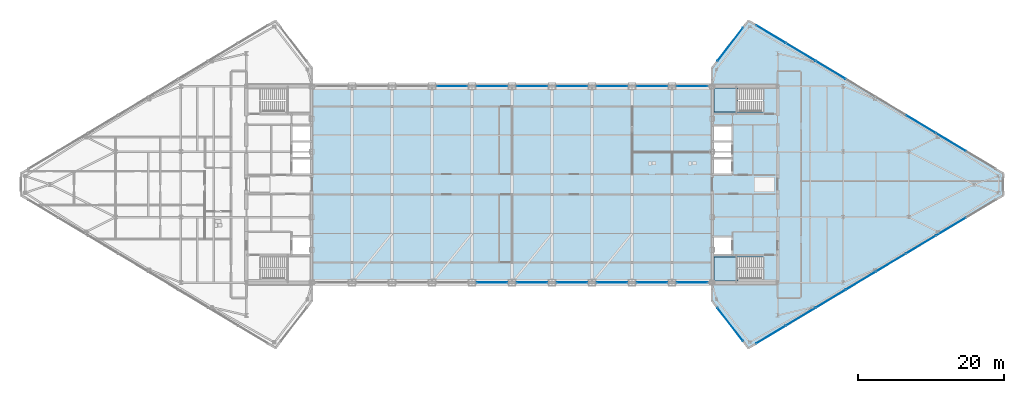
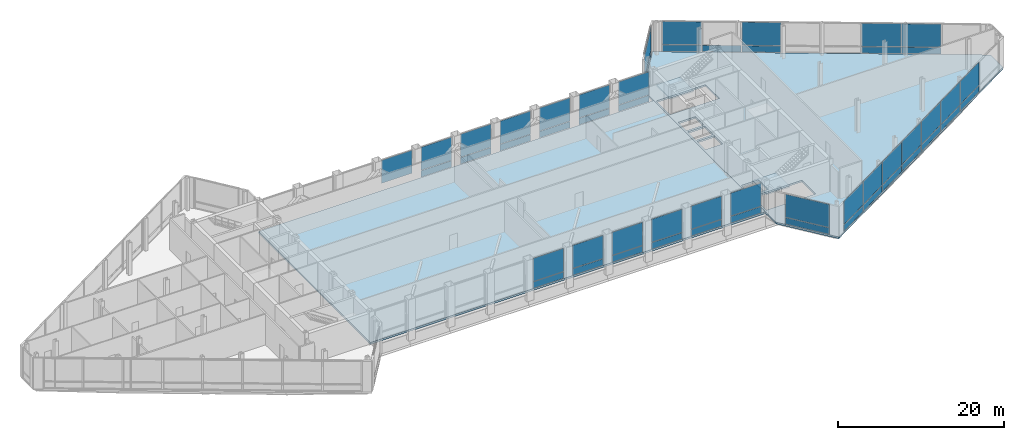
# One storey, part 20 of 29: 52 plates, 4 slabs, 19 elements without a shape of their own.
"""IFC4 building model written with IfcOpenShell, lengths in metres."""

from ifc_helpers import new_model, si_unit, direction, frame, origin, origin_2d, place, context, subcontext, project, spatial, polyline, rectangle, outline, extrude, source, transform, mapped, material, layer, layer_set, type_object, type_shapes, element, aggregate, save


model = new_model("IFC4")

# Units and contexts
model_context = context("Model", 3, precision=1e-05, world=origin(), true_north=direction((0.0, 1.0)))
body_context = subcontext(model_context, "Body", "Model", "MODEL_VIEW")
ifc_project = project(units=[si_unit("LENGTHUNIT", "METRE"), si_unit("AREAUNIT", "SQUARE_METRE"), si_unit("VOLUMEUNIT", "CUBIC_METRE"), si_unit("PLANEANGLEUNIT", "RADIAN"), si_unit("MASSUNIT", "GRAM", prefix="KILO")], contexts=[model_context])

# Site, building, storey
site_placement = place(None, origin())
site = spatial("IfcSite", under=ifc_project, at=site_placement, CompositionType="ELEMENT")
building_placement = place(site_placement, origin())
building = spatial("IfcBuilding", under=site, at=building_placement, Name="Seokmaru Belvedere", CompositionType="ELEMENT")
storey_placement = place(building_placement, frame((0.0, 0.0, 229.800048828125)))
storey = spatial("IfcBuildingStorey", under=building, at=storey_placement, Name="L61", CompositionType="ELEMENT", Elevation=229.800048828125)

# Slabs
ifc_material_1 = material(Name="Concrete C50 (50 MPa)", Category="concrete")
ifc_layer_1 = layer(ifc_material_1, 0.260009765625)
ifc_layer_set_1 = layer_set([ifc_layer_1], Name="Concrete C50 (50 MPa)")
slab_type_1 = type_object("IfcSlabType", Name="Refuge and Sky-Gate Heavy Floor Slab 260", PredefinedType="FLOOR", material=ifc_layer_set_1)
slab_1_placement = place(storey_placement, frame((0.0, 0.0, -0.260009765625)))
element("IfcSlab", 1, at=slab_1_placement, inside=storey, type_object=slab_type_1, Name="L61 East Leg Floor Slab", PredefinedType="FLOOR", context=body_context, shape_type="SweptSolid", body=[
    extrude(outline(polyline([(32.5, -22.5), (67.5, -1.5), (67.5, 1.5), (32.5, 22.5), (27.5, 16.0), (27.5, -16.0), (32.5, -22.5)]), holes=[polyline([(27.75, -13.25), (34.60009765625, -13.25), (34.60009765625, -9.949951171875), (27.75, -9.949951171875), (27.75, -13.25)]), polyline([(27.75, 9.949951171875), (34.60009765625, 9.949951171875), (34.60009765625, 13.25), (27.75, 13.25), (27.75, 9.949951171875)]), polyline([(27.75, -9.550048828125), (30.14990234375, -9.550048828125), (30.14990234375, -7.25), (27.75, -7.25), (27.75, -9.550048828125)]), polyline([(27.75, 1.449951171875), (30.14990234375, 1.449951171875), (30.14990234375, 3.449951171875), (27.75, 3.449951171875), (27.75, 1.449951171875)]), polyline([(27.75, 3.75), (30.14990234375, 3.75), (30.14990234375, 5.75), (27.75, 5.75), (27.75, 3.75)]), polyline([(27.75, 6.050048828125), (30.14990234375, 6.050048828125), (30.14990234375, 8.050048828125), (27.75, 8.050048828125), (27.75, 6.050048828125)])]), origin(), (0.0, 0.0, 1.0), 0.260009765625),
])
slab_2_placement = place(storey_placement, frame((0.0, 0.0, -0.260009765625)))
element("IfcSlab", 2, at=slab_2_placement, inside=storey, type_object=slab_type_1, Name="L61 Sky-Gate Bridge Floor Slab", PredefinedType="FLOOR", context=body_context, shape_type="SweptSolid", body=[
    extrude(outline(polyline([(-27.5, -13.5), (27.5, -13.5), (27.5, 13.5), (-27.5, 13.5), (-27.5, -13.5)])), origin(), (0.0, 0.0, 1.0), 0.260009765625),
])

# Stair, slab
ifc_material_2 = material(Name="Concrete C40 (40 MPa)", Category="concrete")
stair_type = type_object("IfcStairType", Name="Basement Core Dog-Leg Stair 4800", PredefinedType="TWO_STRAIGHT_RUN_STAIR", material=ifc_material_2)
stair_1_placement = place(storey_placement, origin())
stair_1 = element("IfcStair", 3, at=stair_1_placement, inside=storey, type_object=stair_type, Name="L61 Special Escape Stair ST-E1", PredefinedType="TWO_STRAIGHT_RUN_STAIR")
ifc_layer_2 = layer(ifc_material_2, 0.199951171875)
ifc_layer_set_2 = layer_set([ifc_layer_2], Name="Concrete C40 (40 MPa)")
slab_type_2 = type_object("IfcSlabType", Name="Reinforced Concrete Stair Landing Slab 200", PredefinedType="LANDING", material=ifc_layer_set_2)
slab_3_placement = place(storey_placement, frame((0.0, 0.0, 2.199951171875)))
slab_3 = element("IfcSlab", 4, at=slab_3_placement, type_object=slab_type_2, Name="ST-E1 landing 1", PredefinedType="LANDING", context=body_context, shape_type="SweptSolid", body=[
    extrude(outline(polyline([(27.760009765625, -13.239990234375), (31.0400390625, -13.239990234375), (31.0400390625, -9.949951171875), (27.760009765625, -9.949951171875), (27.760009765625, -13.239990234375)])), origin(), (0.0, 0.0, 1.0), 0.199951171875),
])
aggregate(stair_1, [slab_3])

stair_2_placement = place(storey_placement, origin())
stair_2 = element("IfcStair", 5, at=stair_2_placement, inside=storey, type_object=stair_type, Name="L61 Special Escape Stair ST-E2", PredefinedType="TWO_STRAIGHT_RUN_STAIR")
slab_4_placement = place(storey_placement, frame((0.0, 0.0, 2.199951171875)))
slab_4 = element("IfcSlab", 6, at=slab_4_placement, type_object=slab_type_2, Name="ST-E2 landing 1", PredefinedType="LANDING", context=body_context, shape_type="SweptSolid", body=[
    extrude(outline(polyline([(27.760009765625, 9.949951171875), (31.0400390625, 9.949951171875), (31.0400390625, 13.239990234375), (27.760009765625, 13.239990234375), (27.760009765625, 9.949951171875)])), origin(), (0.0, 0.0, 1.0), 0.199951171875),
])
aggregate(stair_2, [slab_4])

# Curtain wall, plate
ifc_material_3 = material(Name="Bronze Triple Insulating Glass", Category="glass")
ifc_layer_3 = layer(ifc_material_3, 0.219970703125)
ifc_layer_set_3 = layer_set([ifc_layer_3], Name="Bronze Triple Insulating Glass")
curtain_wall_type = type_object("IfcCurtainWallType", Name="Sky-Gate Bridge Panorama Curtain Wall System CW-6", PredefinedType="NOTDEFINED", material=ifc_layer_set_3)
curtain_wall_1_placement = place(storey_placement, origin())
curtain_wall_1 = element("IfcCurtainWall", 7, at=curtain_wall_1_placement, inside=storey, type_object=curtain_wall_type, Name="L61 Curtain Wall EF4", PredefinedType="NOTDEFINED")
ifc_layer_4 = layer(ifc_material_3, 0.048095703125)
ifc_layer_set_4 = layer_set([ifc_layer_4], Name="Bronze Triple Insulating Glass")
plate_type_1 = type_object("IfcPlateType", Name="Insulated Bronze Spandrel Glazing Panel 48", PredefinedType="CURTAIN_PANEL", material=ifc_layer_set_4)
shared_shape_1 = source(origin(), body_context, "Body", "SweptSolid", [
    extrude(rectangle(XDim=5.740478515625, YDim=0.0419921875, at=origin_2d()), origin(), (0.0, 0.0, 1.0), 0.9375),
])
plate_1_placement = place(storey_placement, frame((30.0, 19.25, 0.074951171875), z_axis=(0.0, 0.0, 1.0), x_axis=(-0.609701187349, -0.792631353244, 0.0)))
plate_1 = element("IfcPlate", 8, at=plate_1_placement, type_object=plate_type_1, Name="CW:L61:EF4 Glazing Panel 1-1", PredefinedType="CURTAIN_PANEL", context=body_context, shape_type="MappedRepresentation", body=[
    mapped(shared_shape_1, transform((0.0, 0.0, 0.0), scale=1.0)),
])

curtain_wall_2_placement = place(storey_placement, origin())
curtain_wall_2 = element("IfcCurtainWall", 9, at=curtain_wall_2_placement, inside=storey, type_object=curtain_wall_type, Name="L61 Curtain Wall EF6", PredefinedType="NOTDEFINED")
plate_2_placement = place(storey_placement, frame((30.0, -19.25, 0.074951171875), z_axis=(0.0, 0.0, 1.0), x_axis=(0.609701187349, -0.792631353244, 0.0)))
plate_2 = element("IfcPlate", 10, at=plate_2_placement, type_object=plate_type_1, Name="CW:L61:EF6 Glazing Panel 1-1", PredefinedType="CURTAIN_PANEL", context=body_context, shape_type="MappedRepresentation", body=[
    mapped(shared_shape_1, transform((0.0, 0.0, 0.0), scale=1.0)),
])

# Plate
ifc_layer_5 = layer(ifc_material_3, 0.0419921875)
ifc_layer_set_5 = layer_set([ifc_layer_5], Name="Bronze Triple Insulating Glass")
plate_type_2 = type_object("IfcPlateType", Name="Acoustic Laminated Panorama Glazing Panel 42", PredefinedType="CURTAIN_PANEL", material=ifc_layer_set_5)
shared_shape_2 = source(origin(), body_context, "Body", "SweptSolid", [
    extrude(rectangle(XDim=5.740478515625, YDim=0.0419921875, at=origin_2d()), origin(), (0.0, 0.0, 1.0), 3.37744140625),
])
plate_3_placement = place(storey_placement, frame((30.0, 19.25, 1.08740234375), z_axis=(0.0, 0.0, 1.0), x_axis=(-0.609701187349, -0.792631353244, 0.0)))
plate_3 = element("IfcPlate", 11, at=plate_3_placement, type_object=plate_type_2, Name="CW:L61:EF4 Glazing Panel 1-2", PredefinedType="CURTAIN_PANEL", context=body_context, shape_type="MappedRepresentation", body=[
    mapped(shared_shape_2, transform((0.0, 0.0, 0.0), scale=1.0)),
])

aggregate(curtain_wall_1, [plate_1, plate_3])

plate_4_placement = place(storey_placement, frame((30.0, -19.25, 1.08740234375), z_axis=(0.0, 0.0, 1.0), x_axis=(0.609701187349, -0.792631353244, 0.0)))
plate_4 = element("IfcPlate", 12, at=plate_4_placement, type_object=plate_type_2, Name="CW:L61:EF6 Glazing Panel 1-2", PredefinedType="CURTAIN_PANEL", context=body_context, shape_type="MappedRepresentation", body=[
    mapped(shared_shape_2, transform((0.0, 0.0, 0.0), scale=1.0)),
])

aggregate(curtain_wall_2, [plate_2, plate_4])

# Curtain wall, plate
curtain_wall_3_placement = place(storey_placement, origin())
curtain_wall_3 = element("IfcCurtainWall", 13, at=curtain_wall_3_placement, inside=storey, type_object=curtain_wall_type, Name="L61 Curtain Wall EF1", PredefinedType="NOTDEFINED")
shared_shape_3 = source(origin(), body_context, "Body", "SweptSolid", [
    extrude(rectangle(XDim=4.694580078125, YDim=0.0419921875, at=origin_2d()), origin(), (0.0, 0.0, 1.0), 0.9375),
])
plate_5_placement = place(storey_placement, frame((35.5673828125, -20.659423828125, 0.074951171875), z_axis=(0.0, 0.0, 1.0), x_axis=(0.85749343335, 0.514494909364, 0.0)))
plate_5 = element("IfcPlate", 14, at=plate_5_placement, type_object=plate_type_1, Name="CW:L61:EF1 Glazing Panel 1-1", PredefinedType="CURTAIN_PANEL", context=body_context, shape_type="MappedRepresentation", body=[
    mapped(shared_shape_3, transform((0.0, 0.0, 0.0), scale=1.0)),
])

curtain_wall_4_placement = place(storey_placement, origin())
curtain_wall_4 = element("IfcCurtainWall", 15, at=curtain_wall_4_placement, inside=storey, type_object=curtain_wall_type, Name="L61 Curtain Wall EF3", PredefinedType="NOTDEFINED")
plate_6_placement = place(storey_placement, frame((35.5673828125, 20.659423828125, 0.074951171875), z_axis=(0.0, 0.0, 1.0), x_axis=(-0.85749343335, 0.514494909364, 0.0)))
plate_6 = element("IfcPlate", 16, at=plate_6_placement, type_object=plate_type_1, Name="CW:L61:EF3 Glazing Panel 8-1", PredefinedType="CURTAIN_PANEL", context=body_context, shape_type="MappedRepresentation", body=[
    mapped(shared_shape_3, transform((0.0, 0.0, 0.0), scale=1.0)),
])

# Plate
shared_shape_4 = source(origin(), body_context, "Body", "SweptSolid", [
    extrude(rectangle(XDim=4.694580078125, YDim=0.0419921875, at=origin_2d()), origin(), (0.0, 0.0, 1.0), 3.37744140625),
])
plate_7_placement = place(storey_placement, frame((35.5673828125, -20.659423828125, 1.08740234375), z_axis=(0.0, 0.0, 1.0), x_axis=(0.85749343335, 0.514494909364, 0.0)))
plate_7 = element("IfcPlate", 17, at=plate_7_placement, type_object=plate_type_2, Name="CW:L61:EF1 Glazing Panel 1-2", PredefinedType="CURTAIN_PANEL", context=body_context, shape_type="MappedRepresentation", body=[
    mapped(shared_shape_4, transform((0.0, 0.0, 0.0), scale=1.0)),
])

plate_8_placement = place(storey_placement, frame((35.5673828125, 20.659423828125, 1.08740234375), z_axis=(0.0, 0.0, 1.0), x_axis=(-0.85749343335, 0.514494909364, 0.0)))
plate_8 = element("IfcPlate", 18, at=plate_8_placement, type_object=plate_type_2, Name="CW:L61:EF3 Glazing Panel 8-2", PredefinedType="CURTAIN_PANEL", context=body_context, shape_type="MappedRepresentation", body=[
    mapped(shared_shape_4, transform((0.0, 0.0, 0.0), scale=1.0)),
])

shared_shape_5 = source(origin(), body_context, "Body", "SweptSolid", [
    extrude(rectangle(XDim=4.734619140625, YDim=0.0419921875, at=origin_2d()), origin(), (0.0, 0.0, 1.0), 0.9375),
])
plate_9_placement = place(storey_placement, frame((39.6787109375, -18.192626953125, 0.074951171875), z_axis=(0.0, 0.0, 1.0), x_axis=(0.85749343335, 0.514494909364, 0.0)))
plate_9 = element("IfcPlate", 19, at=plate_9_placement, type_object=plate_type_1, Name="CW:L61:EF1 Glazing Panel 2-1", PredefinedType="CURTAIN_PANEL", context=body_context, shape_type="MappedRepresentation", body=[
    mapped(shared_shape_5, transform((0.0, 0.0, 0.0), scale=1.0)),
])

plate_10_placement = place(storey_placement, frame((43.807373046875, -15.715576171875, 0.074951171875), z_axis=(0.0, 0.0, 1.0), x_axis=(0.85749343335, 0.514494909364, 0.0)))
plate_10 = element("IfcPlate", 20, at=plate_10_placement, type_object=plate_type_1, Name="CW:L61:EF1 Glazing Panel 3-1", PredefinedType="CURTAIN_PANEL", context=body_context, shape_type="MappedRepresentation", body=[
    mapped(shared_shape_5, transform((0.0, 0.0, 0.0), scale=1.0)),
])

plate_11_placement = place(storey_placement, frame((47.935791015625, -13.238525390625, 0.074951171875), z_axis=(0.0, 0.0, 1.0), x_axis=(0.85749343335, 0.514494909364, 0.0)))
plate_11 = element("IfcPlate", 21, at=plate_11_placement, type_object=plate_type_1, Name="CW:L61:EF1 Glazing Panel 4-1", PredefinedType="CURTAIN_PANEL", context=body_context, shape_type="MappedRepresentation", body=[
    mapped(shared_shape_5, transform((0.0, 0.0, 0.0), scale=1.0)),
])

plate_12_placement = place(storey_placement, frame((52.064208984375, -10.761474609375, 0.074951171875), z_axis=(0.0, 0.0, 1.0), x_axis=(0.85749343335, 0.514494909364, 0.0)))
plate_12 = element("IfcPlate", 22, at=plate_12_placement, type_object=plate_type_1, Name="CW:L61:EF1 Glazing Panel 5-1", PredefinedType="CURTAIN_PANEL", context=body_context, shape_type="MappedRepresentation", body=[
    mapped(shared_shape_5, transform((0.0, 0.0, 0.0), scale=1.0)),
])

plate_13_placement = place(storey_placement, frame((56.192626953125, -8.284423828125, 0.074951171875), z_axis=(0.0, 0.0, 1.0), x_axis=(0.85749343335, 0.514494909364, 0.0)))
plate_13 = element("IfcPlate", 23, at=plate_13_placement, type_object=plate_type_1, Name="CW:L61:EF1 Glazing Panel 6-1", PredefinedType="CURTAIN_PANEL", context=body_context, shape_type="MappedRepresentation", body=[
    mapped(shared_shape_5, transform((0.0, 0.0, 0.0), scale=1.0)),
])

plate_14_placement = place(storey_placement, frame((60.3212890625, -5.807373046875, 0.074951171875), z_axis=(0.0, 0.0, 1.0), x_axis=(0.85749343335, 0.514494909364, 0.0)))
plate_14 = element("IfcPlate", 24, at=plate_14_placement, type_object=plate_type_1, Name="CW:L61:EF1 Glazing Panel 7-1", PredefinedType="CURTAIN_PANEL", context=body_context, shape_type="MappedRepresentation", body=[
    mapped(shared_shape_5, transform((0.0, 0.0, 0.0), scale=1.0)),
])

plate_15_placement = place(storey_placement, frame((60.3212890625, 5.807373046875, 0.074951171875), z_axis=(0.0, 0.0, 1.0), x_axis=(-0.85749343335, 0.514494909364, 0.0)))
plate_15 = element("IfcPlate", 25, at=plate_15_placement, type_object=plate_type_1, Name="CW:L61:EF3 Glazing Panel 2-1", PredefinedType="CURTAIN_PANEL", context=body_context, shape_type="MappedRepresentation", body=[
    mapped(shared_shape_5, transform((0.0, 0.0, 0.0), scale=1.0)),
])

plate_16_placement = place(storey_placement, frame((56.192626953125, 8.284423828125, 0.074951171875), z_axis=(0.0, 0.0, 1.0), x_axis=(-0.85749343335, 0.514494909364, 0.0)))
plate_16 = element("IfcPlate", 26, at=plate_16_placement, type_object=plate_type_1, Name="CW:L61:EF3 Glazing Panel 3-1", PredefinedType="CURTAIN_PANEL", context=body_context, shape_type="MappedRepresentation", body=[
    mapped(shared_shape_5, transform((0.0, 0.0, 0.0), scale=1.0)),
])

plate_17_placement = place(storey_placement, frame((43.807373046875, 15.715576171875, 0.074951171875), z_axis=(0.0, 0.0, 1.0), x_axis=(-0.85749343335, 0.514494909364, 0.0)))
plate_17 = element("IfcPlate", 27, at=plate_17_placement, type_object=plate_type_1, Name="CW:L61:EF3 Glazing Panel 6-1", PredefinedType="CURTAIN_PANEL", context=body_context, shape_type="MappedRepresentation", body=[
    mapped(shared_shape_5, transform((0.0, 0.0, 0.0), scale=1.0)),
])

plate_18_placement = place(storey_placement, frame((39.6787109375, 18.192626953125, 0.074951171875), z_axis=(0.0, 0.0, 1.0), x_axis=(-0.85749343335, 0.514494909364, 0.0)))
plate_18 = element("IfcPlate", 28, at=plate_18_placement, type_object=plate_type_1, Name="CW:L61:EF3 Glazing Panel 7-1", PredefinedType="CURTAIN_PANEL", context=body_context, shape_type="MappedRepresentation", body=[
    mapped(shared_shape_5, transform((0.0, 0.0, 0.0), scale=1.0)),
])

shared_shape_6 = source(origin(), body_context, "Body", "SweptSolid", [
    extrude(rectangle(XDim=4.734619140625, YDim=0.0419921875, at=origin_2d()), origin(), (0.0, 0.0, 1.0), 3.37744140625),
])
plate_19_placement = place(storey_placement, frame((39.6787109375, -18.192626953125, 1.08740234375), z_axis=(0.0, 0.0, 1.0), x_axis=(0.85749343335, 0.514494909364, 0.0)))
plate_19 = element("IfcPlate", 29, at=plate_19_placement, type_object=plate_type_2, Name="CW:L61:EF1 Glazing Panel 2-2", PredefinedType="CURTAIN_PANEL", context=body_context, shape_type="MappedRepresentation", body=[
    mapped(shared_shape_6, transform((0.0, 0.0, 0.0), scale=1.0)),
])

plate_20_placement = place(storey_placement, frame((43.807373046875, -15.715576171875, 1.08740234375), z_axis=(0.0, 0.0, 1.0), x_axis=(0.85749343335, 0.514494909364, 0.0)))
plate_20 = element("IfcPlate", 30, at=plate_20_placement, type_object=plate_type_2, Name="CW:L61:EF1 Glazing Panel 3-2", PredefinedType="CURTAIN_PANEL", context=body_context, shape_type="MappedRepresentation", body=[
    mapped(shared_shape_6, transform((0.0, 0.0, 0.0), scale=1.0)),
])

plate_21_placement = place(storey_placement, frame((47.935791015625, -13.238525390625, 1.08740234375), z_axis=(0.0, 0.0, 1.0), x_axis=(0.85749343335, 0.514494909364, 0.0)))
plate_21 = element("IfcPlate", 31, at=plate_21_placement, type_object=plate_type_2, Name="CW:L61:EF1 Glazing Panel 4-2", PredefinedType="CURTAIN_PANEL", context=body_context, shape_type="MappedRepresentation", body=[
    mapped(shared_shape_6, transform((0.0, 0.0, 0.0), scale=1.0)),
])

plate_22_placement = place(storey_placement, frame((52.064208984375, -10.761474609375, 1.08740234375), z_axis=(0.0, 0.0, 1.0), x_axis=(0.85749343335, 0.514494909364, 0.0)))
plate_22 = element("IfcPlate", 32, at=plate_22_placement, type_object=plate_type_2, Name="CW:L61:EF1 Glazing Panel 5-2", PredefinedType="CURTAIN_PANEL", context=body_context, shape_type="MappedRepresentation", body=[
    mapped(shared_shape_6, transform((0.0, 0.0, 0.0), scale=1.0)),
])

plate_23_placement = place(storey_placement, frame((56.192626953125, -8.284423828125, 1.08740234375), z_axis=(0.0, 0.0, 1.0), x_axis=(0.85749343335, 0.514494909364, 0.0)))
plate_23 = element("IfcPlate", 33, at=plate_23_placement, type_object=plate_type_2, Name="CW:L61:EF1 Glazing Panel 6-2", PredefinedType="CURTAIN_PANEL", context=body_context, shape_type="MappedRepresentation", body=[
    mapped(shared_shape_6, transform((0.0, 0.0, 0.0), scale=1.0)),
])

plate_24_placement = place(storey_placement, frame((60.3212890625, -5.807373046875, 1.08740234375), z_axis=(0.0, 0.0, 1.0), x_axis=(0.85749343335, 0.514494909364, 0.0)))
plate_24 = element("IfcPlate", 34, at=plate_24_placement, type_object=plate_type_2, Name="CW:L61:EF1 Glazing Panel 7-2", PredefinedType="CURTAIN_PANEL", context=body_context, shape_type="MappedRepresentation", body=[
    mapped(shared_shape_6, transform((0.0, 0.0, 0.0), scale=1.0)),
])

aggregate(curtain_wall_3, [plate_5, plate_7, plate_9, plate_19, plate_10, plate_20, plate_11, plate_21, plate_12, plate_22, plate_13, plate_23, plate_14, plate_24])

plate_25_placement = place(storey_placement, frame((60.3212890625, 5.807373046875, 1.08740234375), z_axis=(0.0, 0.0, 1.0), x_axis=(-0.85749343335, 0.514494909364, 0.0)))
plate_25 = element("IfcPlate", 35, at=plate_25_placement, type_object=plate_type_2, Name="CW:L61:EF3 Glazing Panel 2-2", PredefinedType="CURTAIN_PANEL", context=body_context, shape_type="MappedRepresentation", body=[
    mapped(shared_shape_6, transform((0.0, 0.0, 0.0), scale=1.0)),
])

plate_26_placement = place(storey_placement, frame((56.192626953125, 8.284423828125, 1.08740234375), z_axis=(0.0, 0.0, 1.0), x_axis=(-0.85749343335, 0.514494909364, 0.0)))
plate_26 = element("IfcPlate", 36, at=plate_26_placement, type_object=plate_type_2, Name="CW:L61:EF3 Glazing Panel 3-2", PredefinedType="CURTAIN_PANEL", context=body_context, shape_type="MappedRepresentation", body=[
    mapped(shared_shape_6, transform((0.0, 0.0, 0.0), scale=1.0)),
])

plate_27_placement = place(storey_placement, frame((43.807373046875, 15.715576171875, 1.08740234375), z_axis=(0.0, 0.0, 1.0), x_axis=(-0.85749343335, 0.514494909364, 0.0)))
plate_27 = element("IfcPlate", 37, at=plate_27_placement, type_object=plate_type_2, Name="CW:L61:EF3 Glazing Panel 6-2", PredefinedType="CURTAIN_PANEL", context=body_context, shape_type="MappedRepresentation", body=[
    mapped(shared_shape_6, transform((0.0, 0.0, 0.0), scale=1.0)),
])

aggregate(curtain_wall_4, [plate_15, plate_25, plate_16, plate_26, plate_17, plate_27, plate_18, plate_6, plate_8])

# Curtain wall, plate
curtain_wall_5_placement = place(storey_placement, origin())
curtain_wall_5 = element("IfcCurtainWall", 38, at=curtain_wall_5_placement, inside=storey, type_object=curtain_wall_type, Name="L61 Curtain Wall BR_S05", PredefinedType="NOTDEFINED")
shared_shape_7 = source(origin(), body_context, "Body", "SweptSolid", [
    extrude(rectangle(XDim=4.239990234375, YDim=0.0419921875, at=origin_2d()), origin(), (0.0, 0.0, 1.0), 0.9375),
])
type_shapes(plate_type_1, [shared_shape_1, shared_shape_3, shared_shape_5, shared_shape_7])
plate_28_placement = place(storey_placement, frame((-2.75, -13.5, 0.074951171875), z_axis=(0.0, 0.0, 1.0), x_axis=(1.0, 0.0, 0.0)))
plate_28 = element("IfcPlate", 39, at=plate_28_placement, type_object=plate_type_1, Name="CW:L61:BR_S05 Glazing Panel 1-1", PredefinedType="CURTAIN_PANEL", context=body_context, shape_type="MappedRepresentation", body=[
    mapped(shared_shape_7, transform((0.0, 0.0, 0.0), scale=1.0)),
])

curtain_wall_6_placement = place(storey_placement, origin())
curtain_wall_6 = element("IfcCurtainWall", 40, at=curtain_wall_6_placement, inside=storey, type_object=curtain_wall_type, Name="L61 Curtain Wall BR_N05", PredefinedType="NOTDEFINED")
plate_29_placement = place(storey_placement, frame((-2.75, 13.5, 0.074951171875), z_axis=(0.0, 0.0, 1.0), x_axis=(-1.0, 0.0, 0.0)))
plate_29 = element("IfcPlate", 41, at=plate_29_placement, type_object=plate_type_1, Name="CW:L61:BR_N05 Glazing Panel 1-1", PredefinedType="CURTAIN_PANEL", context=body_context, shape_type="MappedRepresentation", body=[
    mapped(shared_shape_7, transform((0.0, 0.0, 0.0), scale=1.0)),
])

curtain_wall_7_placement = place(storey_placement, origin())
curtain_wall_7 = element("IfcCurtainWall", 42, at=curtain_wall_7_placement, inside=storey, type_object=curtain_wall_type, Name="L61 Curtain Wall BR_S06", PredefinedType="NOTDEFINED")
plate_30_placement = place(storey_placement, frame((2.75, -13.5, 0.074951171875), z_axis=(0.0, 0.0, 1.0), x_axis=(1.0, 0.0, 0.0)))
plate_30 = element("IfcPlate", 43, at=plate_30_placement, type_object=plate_type_1, Name="CW:L61:BR_S06 Glazing Panel 1-1", PredefinedType="CURTAIN_PANEL", context=body_context, shape_type="MappedRepresentation", body=[
    mapped(shared_shape_7, transform((0.0, 0.0, 0.0), scale=1.0)),
])

curtain_wall_8_placement = place(storey_placement, origin())
curtain_wall_8 = element("IfcCurtainWall", 44, at=curtain_wall_8_placement, inside=storey, type_object=curtain_wall_type, Name="L61 Curtain Wall BR_N06", PredefinedType="NOTDEFINED")
plate_31_placement = place(storey_placement, frame((2.75, 13.5, 0.074951171875), z_axis=(0.0, 0.0, 1.0), x_axis=(-1.0, 0.0, 0.0)))
plate_31 = element("IfcPlate", 45, at=plate_31_placement, type_object=plate_type_1, Name="CW:L61:BR_N06 Glazing Panel 1-1", PredefinedType="CURTAIN_PANEL", context=body_context, shape_type="MappedRepresentation", body=[
    mapped(shared_shape_7, transform((0.0, 0.0, 0.0), scale=1.0)),
])

curtain_wall_9_placement = place(storey_placement, origin())
curtain_wall_9 = element("IfcCurtainWall", 46, at=curtain_wall_9_placement, inside=storey, type_object=curtain_wall_type, Name="L61 Curtain Wall BR_S07", PredefinedType="NOTDEFINED")
plate_32_placement = place(storey_placement, frame((8.25, -13.5, 0.074951171875), z_axis=(0.0, 0.0, 1.0), x_axis=(1.0, 0.0, 0.0)))
plate_32 = element("IfcPlate", 47, at=plate_32_placement, type_object=plate_type_1, Name="CW:L61:BR_S07 Glazing Panel 1-1", PredefinedType="CURTAIN_PANEL", context=body_context, shape_type="MappedRepresentation", body=[
    mapped(shared_shape_7, transform((0.0, 0.0, 0.0), scale=1.0)),
])

curtain_wall_10_placement = place(storey_placement, origin())
curtain_wall_10 = element("IfcCurtainWall", 48, at=curtain_wall_10_placement, inside=storey, type_object=curtain_wall_type, Name="L61 Curtain Wall BR_N07", PredefinedType="NOTDEFINED")
plate_33_placement = place(storey_placement, frame((8.25, 13.5, 0.074951171875), z_axis=(0.0, 0.0, 1.0), x_axis=(-1.0, 0.0, 0.0)))
plate_33 = element("IfcPlate", 49, at=plate_33_placement, type_object=plate_type_1, Name="CW:L61:BR_N07 Glazing Panel 1-1", PredefinedType="CURTAIN_PANEL", context=body_context, shape_type="MappedRepresentation", body=[
    mapped(shared_shape_7, transform((0.0, 0.0, 0.0), scale=1.0)),
])

curtain_wall_11_placement = place(storey_placement, origin())
curtain_wall_11 = element("IfcCurtainWall", 50, at=curtain_wall_11_placement, inside=storey, type_object=curtain_wall_type, Name="L61 Curtain Wall BR_S08", PredefinedType="NOTDEFINED")
plate_34_placement = place(storey_placement, frame((13.75, -13.5, 0.074951171875), z_axis=(0.0, 0.0, 1.0), x_axis=(1.0, 0.0, 0.0)))
plate_34 = element("IfcPlate", 51, at=plate_34_placement, type_object=plate_type_1, Name="CW:L61:BR_S08 Glazing Panel 1-1", PredefinedType="CURTAIN_PANEL", context=body_context, shape_type="MappedRepresentation", body=[
    mapped(shared_shape_7, transform((0.0, 0.0, 0.0), scale=1.0)),
])

curtain_wall_12_placement = place(storey_placement, origin())
curtain_wall_12 = element("IfcCurtainWall", 52, at=curtain_wall_12_placement, inside=storey, type_object=curtain_wall_type, Name="L61 Curtain Wall BR_N08", PredefinedType="NOTDEFINED")
plate_35_placement = place(storey_placement, frame((13.75, 13.5, 0.074951171875), z_axis=(0.0, 0.0, 1.0), x_axis=(-1.0, 0.0, 0.0)))
plate_35 = element("IfcPlate", 53, at=plate_35_placement, type_object=plate_type_1, Name="CW:L61:BR_N08 Glazing Panel 1-1", PredefinedType="CURTAIN_PANEL", context=body_context, shape_type="MappedRepresentation", body=[
    mapped(shared_shape_7, transform((0.0, 0.0, 0.0), scale=1.0)),
])

curtain_wall_13_placement = place(storey_placement, origin())
curtain_wall_13 = element("IfcCurtainWall", 54, at=curtain_wall_13_placement, inside=storey, type_object=curtain_wall_type, Name="L61 Curtain Wall BR_S09", PredefinedType="NOTDEFINED")
plate_36_placement = place(storey_placement, frame((19.25, -13.5, 0.074951171875), z_axis=(0.0, 0.0, 1.0), x_axis=(1.0, 0.0, 0.0)))
plate_36 = element("IfcPlate", 55, at=plate_36_placement, type_object=plate_type_1, Name="CW:L61:BR_S09 Glazing Panel 1-1", PredefinedType="CURTAIN_PANEL", context=body_context, shape_type="MappedRepresentation", body=[
    mapped(shared_shape_7, transform((0.0, 0.0, 0.0), scale=1.0)),
])

curtain_wall_14_placement = place(storey_placement, origin())
curtain_wall_14 = element("IfcCurtainWall", 56, at=curtain_wall_14_placement, inside=storey, type_object=curtain_wall_type, Name="L61 Curtain Wall BR_N09", PredefinedType="NOTDEFINED")
plate_37_placement = place(storey_placement, frame((19.25, 13.5, 0.074951171875), z_axis=(0.0, 0.0, 1.0), x_axis=(-1.0, 0.0, 0.0)))
plate_37 = element("IfcPlate", 57, at=plate_37_placement, type_object=plate_type_1, Name="CW:L61:BR_N09 Glazing Panel 1-1", PredefinedType="CURTAIN_PANEL", context=body_context, shape_type="MappedRepresentation", body=[
    mapped(shared_shape_7, transform((0.0, 0.0, 0.0), scale=1.0)),
])

curtain_wall_15_placement = place(storey_placement, origin())
curtain_wall_15 = element("IfcCurtainWall", 58, at=curtain_wall_15_placement, inside=storey, type_object=curtain_wall_type, Name="L61 Curtain Wall BR_S10", PredefinedType="NOTDEFINED")
plate_38_placement = place(storey_placement, frame((24.75, -13.5, 0.074951171875), z_axis=(0.0, 0.0, 1.0), x_axis=(1.0, 0.0, 0.0)))
plate_38 = element("IfcPlate", 59, at=plate_38_placement, type_object=plate_type_1, Name="CW:L61:BR_S10 Glazing Panel 1-1", PredefinedType="CURTAIN_PANEL", context=body_context, shape_type="MappedRepresentation", body=[
    mapped(shared_shape_7, transform((0.0, 0.0, 0.0), scale=1.0)),
])

curtain_wall_16_placement = place(storey_placement, origin())
curtain_wall_16 = element("IfcCurtainWall", 60, at=curtain_wall_16_placement, inside=storey, type_object=curtain_wall_type, Name="L61 Curtain Wall BR_N10", PredefinedType="NOTDEFINED")
plate_39_placement = place(storey_placement, frame((24.75, 13.5, 0.074951171875), z_axis=(0.0, 0.0, 1.0), x_axis=(-1.0, 0.0, 0.0)))
plate_39 = element("IfcPlate", 61, at=plate_39_placement, type_object=plate_type_1, Name="CW:L61:BR_N10 Glazing Panel 1-1", PredefinedType="CURTAIN_PANEL", context=body_context, shape_type="MappedRepresentation", body=[
    mapped(shared_shape_7, transform((0.0, 0.0, 0.0), scale=1.0)),
])

curtain_wall_17_placement = place(storey_placement, origin())
curtain_wall_17 = element("IfcCurtainWall", 62, at=curtain_wall_17_placement, inside=storey, type_object=curtain_wall_type, Name="L61 Curtain Wall BR_N04", PredefinedType="NOTDEFINED")
shared_shape_8 = source(origin(), body_context, "Body", "SweptSolid", [
    extrude(rectangle(XDim=4.239990234375, YDim=0.0419921875, at=origin_2d()), origin(), (0.0, 0.0, 1.0), 3.37744140625),
])
type_shapes(plate_type_2, [shared_shape_2, shared_shape_4, shared_shape_6, shared_shape_8])
plate_40_placement = place(storey_placement, frame((-8.25, 13.5, 1.08740234375), z_axis=(0.0, 0.0, 1.0), x_axis=(-1.0, 0.0, 0.0)))
plate_40 = element("IfcPlate", 63, at=plate_40_placement, type_object=plate_type_2, Name="CW:L61:BR_N04 Glazing Panel 1-2", PredefinedType="CURTAIN_PANEL", context=body_context, shape_type="MappedRepresentation", body=[
    mapped(shared_shape_8, transform((0.0, 0.0, 0.0), scale=1.0)),
])
aggregate(curtain_wall_17, [plate_40])

# Plate
plate_41_placement = place(storey_placement, frame((-2.75, -13.5, 1.08740234375), z_axis=(0.0, 0.0, 1.0), x_axis=(1.0, 0.0, 0.0)))
plate_41 = element("IfcPlate", 64, at=plate_41_placement, type_object=plate_type_2, Name="CW:L61:BR_S05 Glazing Panel 1-2", PredefinedType="CURTAIN_PANEL", context=body_context, shape_type="MappedRepresentation", body=[
    mapped(shared_shape_8, transform((0.0, 0.0, 0.0), scale=1.0)),
])

aggregate(curtain_wall_5, [plate_28, plate_41])

plate_42_placement = place(storey_placement, frame((-2.75, 13.5, 1.08740234375), z_axis=(0.0, 0.0, 1.0), x_axis=(-1.0, 0.0, 0.0)))
plate_42 = element("IfcPlate", 65, at=plate_42_placement, type_object=plate_type_2, Name="CW:L61:BR_N05 Glazing Panel 1-2", PredefinedType="CURTAIN_PANEL", context=body_context, shape_type="MappedRepresentation", body=[
    mapped(shared_shape_8, transform((0.0, 0.0, 0.0), scale=1.0)),
])

aggregate(curtain_wall_6, [plate_29, plate_42])

plate_43_placement = place(storey_placement, frame((2.75, -13.5, 1.08740234375), z_axis=(0.0, 0.0, 1.0), x_axis=(1.0, 0.0, 0.0)))
plate_43 = element("IfcPlate", 66, at=plate_43_placement, type_object=plate_type_2, Name="CW:L61:BR_S06 Glazing Panel 1-2", PredefinedType="CURTAIN_PANEL", context=body_context, shape_type="MappedRepresentation", body=[
    mapped(shared_shape_8, transform((0.0, 0.0, 0.0), scale=1.0)),
])

aggregate(curtain_wall_7, [plate_30, plate_43])

plate_44_placement = place(storey_placement, frame((2.75, 13.5, 1.08740234375), z_axis=(0.0, 0.0, 1.0), x_axis=(-1.0, 0.0, 0.0)))
plate_44 = element("IfcPlate", 67, at=plate_44_placement, type_object=plate_type_2, Name="CW:L61:BR_N06 Glazing Panel 1-2", PredefinedType="CURTAIN_PANEL", context=body_context, shape_type="MappedRepresentation", body=[
    mapped(shared_shape_8, transform((0.0, 0.0, 0.0), scale=1.0)),
])

aggregate(curtain_wall_8, [plate_31, plate_44])

plate_45_placement = place(storey_placement, frame((8.25, -13.5, 1.08740234375), z_axis=(0.0, 0.0, 1.0), x_axis=(1.0, 0.0, 0.0)))
plate_45 = element("IfcPlate", 68, at=plate_45_placement, type_object=plate_type_2, Name="CW:L61:BR_S07 Glazing Panel 1-2", PredefinedType="CURTAIN_PANEL", context=body_context, shape_type="MappedRepresentation", body=[
    mapped(shared_shape_8, transform((0.0, 0.0, 0.0), scale=1.0)),
])

aggregate(curtain_wall_9, [plate_32, plate_45])

plate_46_placement = place(storey_placement, frame((8.25, 13.5, 1.08740234375), z_axis=(0.0, 0.0, 1.0), x_axis=(-1.0, 0.0, 0.0)))
plate_46 = element("IfcPlate", 69, at=plate_46_placement, type_object=plate_type_2, Name="CW:L61:BR_N07 Glazing Panel 1-2", PredefinedType="CURTAIN_PANEL", context=body_context, shape_type="MappedRepresentation", body=[
    mapped(shared_shape_8, transform((0.0, 0.0, 0.0), scale=1.0)),
])

aggregate(curtain_wall_10, [plate_33, plate_46])

plate_47_placement = place(storey_placement, frame((13.75, -13.5, 1.08740234375), z_axis=(0.0, 0.0, 1.0), x_axis=(1.0, 0.0, 0.0)))
plate_47 = element("IfcPlate", 70, at=plate_47_placement, type_object=plate_type_2, Name="CW:L61:BR_S08 Glazing Panel 1-2", PredefinedType="CURTAIN_PANEL", context=body_context, shape_type="MappedRepresentation", body=[
    mapped(shared_shape_8, transform((0.0, 0.0, 0.0), scale=1.0)),
])

aggregate(curtain_wall_11, [plate_34, plate_47])

plate_48_placement = place(storey_placement, frame((13.75, 13.5, 1.08740234375), z_axis=(0.0, 0.0, 1.0), x_axis=(-1.0, 0.0, 0.0)))
plate_48 = element("IfcPlate", 71, at=plate_48_placement, type_object=plate_type_2, Name="CW:L61:BR_N08 Glazing Panel 1-2", PredefinedType="CURTAIN_PANEL", context=body_context, shape_type="MappedRepresentation", body=[
    mapped(shared_shape_8, transform((0.0, 0.0, 0.0), scale=1.0)),
])

aggregate(curtain_wall_12, [plate_35, plate_48])

plate_49_placement = place(storey_placement, frame((19.25, -13.5, 1.08740234375), z_axis=(0.0, 0.0, 1.0), x_axis=(1.0, 0.0, 0.0)))
plate_49 = element("IfcPlate", 72, at=plate_49_placement, type_object=plate_type_2, Name="CW:L61:BR_S09 Glazing Panel 1-2", PredefinedType="CURTAIN_PANEL", context=body_context, shape_type="MappedRepresentation", body=[
    mapped(shared_shape_8, transform((0.0, 0.0, 0.0), scale=1.0)),
])

aggregate(curtain_wall_13, [plate_36, plate_49])

plate_50_placement = place(storey_placement, frame((19.25, 13.5, 1.08740234375), z_axis=(0.0, 0.0, 1.0), x_axis=(-1.0, 0.0, 0.0)))
plate_50 = element("IfcPlate", 73, at=plate_50_placement, type_object=plate_type_2, Name="CW:L61:BR_N09 Glazing Panel 1-2", PredefinedType="CURTAIN_PANEL", context=body_context, shape_type="MappedRepresentation", body=[
    mapped(shared_shape_8, transform((0.0, 0.0, 0.0), scale=1.0)),
])

aggregate(curtain_wall_14, [plate_37, plate_50])

plate_51_placement = place(storey_placement, frame((24.75, -13.5, 1.08740234375), z_axis=(0.0, 0.0, 1.0), x_axis=(1.0, 0.0, 0.0)))
plate_51 = element("IfcPlate", 74, at=plate_51_placement, type_object=plate_type_2, Name="CW:L61:BR_S10 Glazing Panel 1-2", PredefinedType="CURTAIN_PANEL", context=body_context, shape_type="MappedRepresentation", body=[
    mapped(shared_shape_8, transform((0.0, 0.0, 0.0), scale=1.0)),
])

aggregate(curtain_wall_15, [plate_38, plate_51])

plate_52_placement = place(storey_placement, frame((24.75, 13.5, 1.08740234375), z_axis=(0.0, 0.0, 1.0), x_axis=(-1.0, 0.0, 0.0)))
plate_52 = element("IfcPlate", 75, at=plate_52_placement, type_object=plate_type_2, Name="CW:L61:BR_N10 Glazing Panel 1-2", PredefinedType="CURTAIN_PANEL", context=body_context, shape_type="MappedRepresentation", body=[
    mapped(shared_shape_8, transform((0.0, 0.0, 0.0), scale=1.0)),
])

aggregate(curtain_wall_16, [plate_39, plate_52])

save(model, "model.ifc")
